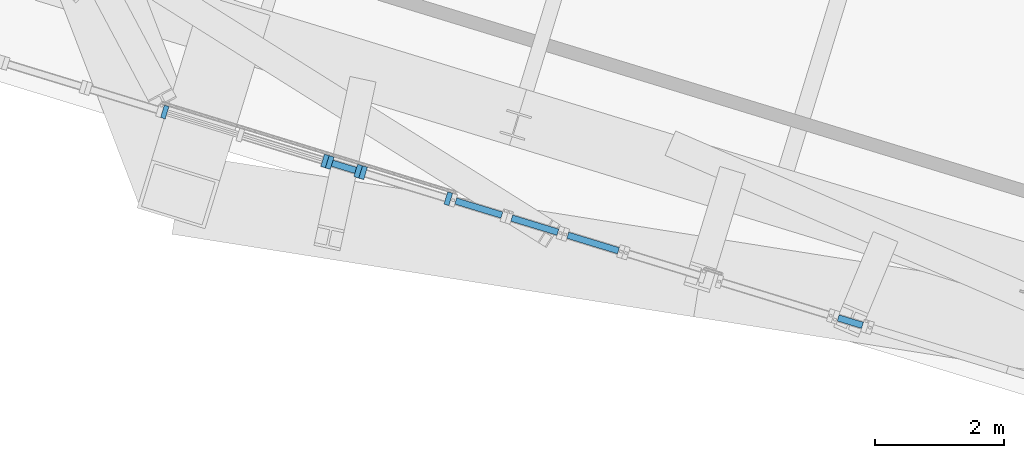
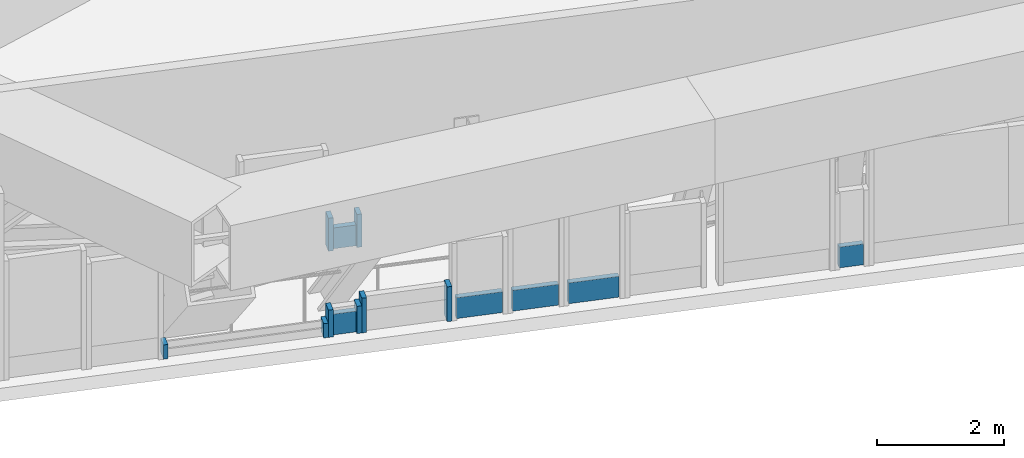
# One storey, part 11 of 31: 14 members, 8 elements without a shape of their own.
"""IFC4 building model written with IfcOpenShell, lengths in metres."""

from ifc_helpers import new_model, si_unit, direction, frame, origin, origin_2d, place, context, subcontext, project, spatial, rectangle, extrude, source, transform, mapped, material, material_profile, profile_set, type_object, element, aggregate, save


model = new_model("IFC4")

# Units and contexts
model_context = context("Model", 3, precision=1e-05, world=origin(), true_north=direction((0.0, 1.0)))
body_context = subcontext(model_context, "Body", "Model", "MODEL_VIEW")
ifc_project = project(units=[si_unit("LENGTHUNIT", "METRE"), si_unit("AREAUNIT", "SQUARE_METRE"), si_unit("VOLUMEUNIT", "CUBIC_METRE"), si_unit("PLANEANGLEUNIT", "RADIAN"), si_unit("MASSUNIT", "GRAM", prefix="KILO")], contexts=[model_context])

# Site, building, storey
site_placement = place(None, origin())
site = spatial("IfcSite", under=ifc_project, at=site_placement, CompositionType="ELEMENT")
building_placement = place(site_placement, origin())
building = spatial("IfcBuilding", under=site, at=building_placement, Name="Triune Harvest Tower", CompositionType="ELEMENT")
storey_placement = place(building_placement, frame((0.0, 0.0, 134.300048828125)))
storey = spatial("IfcBuildingStorey", under=building, at=storey_placement, Name="L34", CompositionType="ELEMENT", Elevation=134.300048828125)

# Curtain wall, members
ifc_material_1 = material(Name="Aluminium bronze anodised", Category="aluminium")
curtain_wall_type_1 = type_object("IfcCurtainWallType", Name="CW-5 Plant louvre wall", PredefinedType="NOTDEFINED", material=ifc_material_1)
curtain_wall_1_placement = place(storey_placement, origin())
curtain_wall_1 = element("IfcCurtainWall", 1, at=curtain_wall_1_placement, inside=storey, type_object=curtain_wall_type_1, Name="CW-5 B3-F5 L34 run 401")
ifc_material_2 = material(Name="Aluminium bronze anodised", Category="aluminium")
ifc_material_profile_1 = material_profile(ifc_material_2, rectangle(XDim=0.199951171875, YDim=0.080078125, at=origin_2d()), Name="MU-5 mullion 80 x 200")
ifc_profile_set_1 = profile_set([ifc_material_profile_1], Name="Aluminium bronze anodised")
member_type_1 = type_object("IfcMemberType", Name="MU-5 mullion 80 x 200", PredefinedType="MULLION", material=ifc_profile_set_1)
shared_shape_1 = source(origin(), body_context, "Body", "SweptSolid", [
    extrude(rectangle(XDim=0.199951171875, YDim=0.080078125, at=origin_2d()), origin(), (0.0, 0.0, 1.0), 0.5234375),
])
member_1_placement = place(storey_placement, frame((-25.00244140625, -15.386474609375, 0.0), z_axis=(0.0, 0.0, 1.0), x_axis=(0.292251451282, 0.956341512862, 0.0)))
member_1 = element("IfcMember", 2, at=member_1_placement, type_object=member_type_1, Name="CW-5 mullion B3-F5 401.1", PredefinedType="MULLION", context=body_context, shape_type="MappedRepresentation", body=[
    mapped(shared_shape_1, transform((0.0, 0.0, 0.0), scale=1.0)),
])
member_2_placement = place(storey_placement, frame((-24.562255859375, -15.52099609375, 0.0), z_axis=(0.0, 0.0, 1.0), x_axis=(0.292251451282, 0.956341512862, 0.0)))
member_2 = element("IfcMember", 3, at=member_2_placement, type_object=member_type_1, Name="CW-5 mullion B3-F5 401.2", PredefinedType="MULLION", context=body_context, shape_type="MappedRepresentation", body=[
    mapped(shared_shape_1, transform((0.0, 0.0, 0.0), scale=1.0)),
])

# Curtain wall, member
curtain_wall_2_placement = place(storey_placement, origin())
curtain_wall_2 = element("IfcCurtainWall", 4, at=curtain_wall_2_placement, inside=storey, type_object=curtain_wall_type_1, Name="CW-5 B3-F5 L34 run 701")
ifc_material_3 = material(Name="Aluminium bronze anodised", Category="aluminium")
ifc_material_profile_2 = material_profile(ifc_material_3, rectangle(XDim=0.10009765625, YDim=0.39990234375, at=origin_2d()), Name="TR-5 transom 100 x 400")
ifc_profile_set_2 = profile_set([ifc_material_profile_2], Name="Aluminium bronze anodised")
member_type_2 = type_object("IfcMemberType", Name="TR-5 transom 100 x 400", PredefinedType="USERDEFINED", material=ifc_profile_set_2)
shared_shape_2 = source(origin(), body_context, "Body", "SweptSolid", [
    extrude(rectangle(XDim=0.10009765625, YDim=0.39990234375, at=origin_2d()), origin(), (0.0, 0.0, 1.0), 0.746826171875),
])
member_3_placement = place(storey_placement, frame((-23.052490234375, -15.982666015625, 0.199951171875), z_axis=(0.956328725469, -0.292293292502, 0.0), x_axis=(0.292293292502, 0.956328725469, 0.0)))
member_3 = element("IfcMember", 5, at=member_3_placement, type_object=member_type_2, Name="CW-5 transom B3-F5 701.1", ObjectType="TRANSOM", PredefinedType="USERDEFINED", context=body_context, shape_type="MappedRepresentation", body=[
    mapped(shared_shape_2, transform((0.0, 0.0, 0.0), scale=1.0)),
])
aggregate(curtain_wall_2, [member_3])

curtain_wall_3_placement = place(storey_placement, origin())
curtain_wall_3 = element("IfcCurtainWall", 6, at=curtain_wall_3_placement, inside=storey, type_object=curtain_wall_type_1, Name="CW-5 B3-F5 L34 run 801")
member_4_placement = place(storey_placement, frame((-22.185302734375, -16.247802734375, 0.199951171875), z_axis=(0.956328725469, -0.292293292502, 0.0), x_axis=(0.292293292502, 0.956328725469, 0.0)))
member_4 = element("IfcMember", 7, at=member_4_placement, type_object=member_type_2, Name="CW-5 transom B3-F5 801.1", ObjectType="TRANSOM", PredefinedType="USERDEFINED", context=body_context, shape_type="MappedRepresentation", body=[
    mapped(shared_shape_2, transform((0.0, 0.0, 0.0), scale=1.0)),
])
aggregate(curtain_wall_3, [member_4])

curtain_wall_4_placement = place(storey_placement, origin())
curtain_wall_4 = element("IfcCurtainWall", 8, at=curtain_wall_4_placement, inside=storey, type_object=curtain_wall_type_1, Name="CW-5 B3-F5 L34 run 901")
shared_shape_3 = source(origin(), body_context, "Body", "SweptSolid", [
    extrude(rectangle(XDim=0.10009765625, YDim=0.39990234375, at=origin_2d()), origin(), (0.0, 0.0, 1.0), 0.820068359375),
])
member_5_placement = place(storey_placement, frame((-21.318115234375, -16.512939453125, 0.199951171875), z_axis=(0.956305334411, -0.2923698127, 0.0), x_axis=(0.2923698127, 0.956305334411, 0.0)))
member_5 = element("IfcMember", 9, at=member_5_placement, type_object=member_type_2, Name="CW-5 transom B3-F5 901.1", ObjectType="TRANSOM", PredefinedType="USERDEFINED", context=body_context, shape_type="MappedRepresentation", body=[
    mapped(shared_shape_3, transform((0.0, 0.0, 0.0), scale=1.0)),
])
aggregate(curtain_wall_4, [member_5])

# Curtain wall, members
ifc_material_4 = material(Name="Aluminium bronze anodised", Category="aluminium")
curtain_wall_type_2 = type_object("IfcCurtainWallType", Name="CW-6 Balcony window wall", PredefinedType="NOTDEFINED", material=ifc_material_4)
curtain_wall_5_placement = place(storey_placement, origin())
curtain_wall_5 = element("IfcCurtainWall", 10, at=curtain_wall_5_placement, inside=storey, type_object=curtain_wall_type_2, Name="CW-6 B3-F5 L34 run 1501")
ifc_material_5 = material(Name="Aluminium bronze anodised", Category="aluminium")
ifc_material_profile_3 = material_profile(ifc_material_5, rectangle(XDim=0.199951171875, YDim=0.074951171875, at=origin_2d()), Name="MU-6 mullion 75 x 200")
ifc_profile_set_3 = profile_set([ifc_material_profile_3], Name="Aluminium bronze anodised")
member_type_3 = type_object("IfcMemberType", Name="MU-6 mullion 75 x 200", PredefinedType="MULLION", material=ifc_profile_set_3)
shared_shape_4 = source(origin(), body_context, "Body", "SweptSolid", [
    extrude(rectangle(XDim=0.199951171875, YDim=0.074951171875, at=origin_2d()), origin(), (0.0, 0.0, 1.0), 0.275146484375),
])
member_6_placement = place(storey_placement, frame((-27.55517578125, -14.60595703125, 0.0), z_axis=(0.0, 0.0, 1.0), x_axis=(0.292370004878, 0.956305275656, 0.0)))
member_6 = element("IfcMember", 11, at=member_6_placement, type_object=member_type_3, Name="CW-6 mullion B3-F5 1501.1", PredefinedType="MULLION", context=body_context, shape_type="MappedRepresentation", body=[
    mapped(shared_shape_4, transform((0.0, 0.0, 0.0), scale=1.0)),
])
member_7_placement = place(storey_placement, frame((-25.07666015625, -15.36376953125, 0.0), z_axis=(0.0, 0.0, 1.0), x_axis=(0.292370004878, 0.956305275656, 0.0)))
member_7 = element("IfcMember", 12, at=member_7_placement, type_object=member_type_3, Name="CW-6 mullion B3-F5 1501.2", PredefinedType="MULLION", context=body_context, shape_type="MappedRepresentation", body=[
    mapped(shared_shape_4, transform((0.0, 0.0, 0.0), scale=1.0)),
])
aggregate(curtain_wall_5, [member_6, member_7])

# Curtain wall, member
curtain_wall_6_placement = place(storey_placement, origin())
curtain_wall_6 = element("IfcCurtainWall", 13, at=curtain_wall_6_placement, inside=storey, type_object=curtain_wall_type_1, Name="CW-5 B3-F5 L34 run 1201")
shared_shape_5 = source(origin(), body_context, "Body", "SweptSolid", [
    extrude(rectangle(XDim=0.10009765625, YDim=0.39990234375, at=origin_2d()), origin(), (0.0, 0.0, 1.0), 0.3935546875),
])
member_8_placement = place(storey_placement, frame((-17.1337890625, -17.792236328125, 0.199951171875), z_axis=(0.956380454573, -0.292123990988, 0.0), x_axis=(0.292123990988, 0.956380454573, 0.0)))
member_8 = element("IfcMember", 14, at=member_8_placement, type_object=member_type_2, Name="CW-5 transom B3-F5 1201.1", ObjectType="TRANSOM", PredefinedType="USERDEFINED", context=body_context, shape_type="MappedRepresentation", body=[
    mapped(shared_shape_5, transform((0.0, 0.0, 0.0), scale=1.0)),
])
aggregate(curtain_wall_6, [member_8])

# Member
shared_shape_6 = source(origin(), body_context, "Body", "SweptSolid", [
    extrude(rectangle(XDim=0.10009765625, YDim=0.39990234375, at=origin_2d()), origin(), (0.0, 0.0, 1.0), 0.380126953125),
])
member_9_placement = place(storey_placement, frame((-24.964111328125, -15.398193359375, 0.199951171875), z_axis=(0.956346585013, -0.292234853043, 0.0), x_axis=(0.292234853043, 0.956346585013, 0.0)))
member_9 = element("IfcMember", 15, at=member_9_placement, type_object=member_type_2, Name="CW-5 transom B3-F5 401.1", ObjectType="TRANSOM", PredefinedType="USERDEFINED", context=body_context, shape_type="MappedRepresentation", body=[
    mapped(shared_shape_6, transform((0.0, 0.0, 0.0), scale=1.0)),
])

aggregate(curtain_wall_1, [member_1, member_2, member_9])

# Curtain wall, members
curtain_wall_7_placement = place(storey_placement, origin())
curtain_wall_7 = element("IfcCurtainWall", 16, at=curtain_wall_7_placement, inside=storey, type_object=curtain_wall_type_1, Name="CW-5 B3-F5 L34 run 501")
member_10_placement = place(storey_placement, frame((-24.964111328125, -15.398193359375, 1.85546875), z_axis=(0.956346585013, -0.292234853043, 0.0), x_axis=(0.292234853043, 0.956346585013, 0.0)))
member_10 = element("IfcMember", 17, at=member_10_placement, type_object=member_type_2, Name="CW-5 transom B3-F5 501.1", ObjectType="TRANSOM", PredefinedType="USERDEFINED", context=body_context, shape_type="MappedRepresentation", body=[
    mapped(shared_shape_6, transform((0.0, 0.0, 0.0), scale=1.0)),
])
shared_shape_7 = source(origin(), body_context, "Body", "SweptSolid", [
    extrude(rectangle(XDim=0.199951171875, YDim=0.080078125, at=origin_2d()), origin(), (0.0, 0.0, 1.0), 0.634765625),
])
member_11_placement = place(storey_placement, frame((-25.00244140625, -15.386474609375, 1.6552734375), z_axis=(0.0, 0.0, 1.0), x_axis=(0.292251451282, 0.956341512862, 0.0)))
member_11 = element("IfcMember", 18, at=member_11_placement, type_object=member_type_1, Name="CW-5 mullion B3-F5 501.1", PredefinedType="MULLION", context=body_context, shape_type="MappedRepresentation", body=[
    mapped(shared_shape_7, transform((0.0, 0.0, 0.0), scale=1.0)),
])
member_12_placement = place(storey_placement, frame((-24.562255859375, -15.52099609375, 1.6552734375), z_axis=(0.0, 0.0, 1.0), x_axis=(0.292251451282, 0.956341512862, 0.0)))
member_12 = element("IfcMember", 19, at=member_12_placement, type_object=member_type_1, Name="CW-5 mullion B3-F5 501.2", PredefinedType="MULLION", context=body_context, shape_type="MappedRepresentation", body=[
    mapped(shared_shape_7, transform((0.0, 0.0, 0.0), scale=1.0)),
])
aggregate(curtain_wall_7, [member_11, member_12, member_10])

curtain_wall_8_placement = place(storey_placement, origin())
curtain_wall_8 = element("IfcCurtainWall", 20, at=curtain_wall_8_placement, inside=storey, type_object=curtain_wall_type_1, Name="CW-5 B3-F5 L34 run 601")
shared_shape_8 = source(origin(), body_context, "Body", "SweptSolid", [
    extrude(rectangle(XDim=0.199951171875, YDim=0.080078125, at=origin_2d()), origin(), (0.0, 0.0, 1.0), 0.66796875),
])
member_13_placement = place(storey_placement, frame((-24.48583984375, -15.54443359375, 0.0), z_axis=(0.0, 0.0, 1.0), x_axis=(0.292394446157, 0.956297802913, 0.0)))
member_13 = element("IfcMember", 21, at=member_13_placement, type_object=member_type_1, Name="CW-5 mullion B3-F5 601.1", PredefinedType="MULLION", context=body_context, shape_type="MappedRepresentation", body=[
    mapped(shared_shape_8, transform((0.0, 0.0, 0.0), scale=1.0)),
])
member_14_placement = place(storey_placement, frame((-23.167236328125, -15.947509765625, 0.0), z_axis=(0.0, 0.0, 1.0), x_axis=(0.292394446157, 0.956297802913, 0.0)))
member_14 = element("IfcMember", 22, at=member_14_placement, type_object=member_type_1, Name="CW-5 mullion B3-F5 601.2", PredefinedType="MULLION", context=body_context, shape_type="MappedRepresentation", body=[
    mapped(shared_shape_8, transform((0.0, 0.0, 0.0), scale=1.0)),
])
aggregate(curtain_wall_8, [member_13, member_14])

save(model, "model.ifc")
